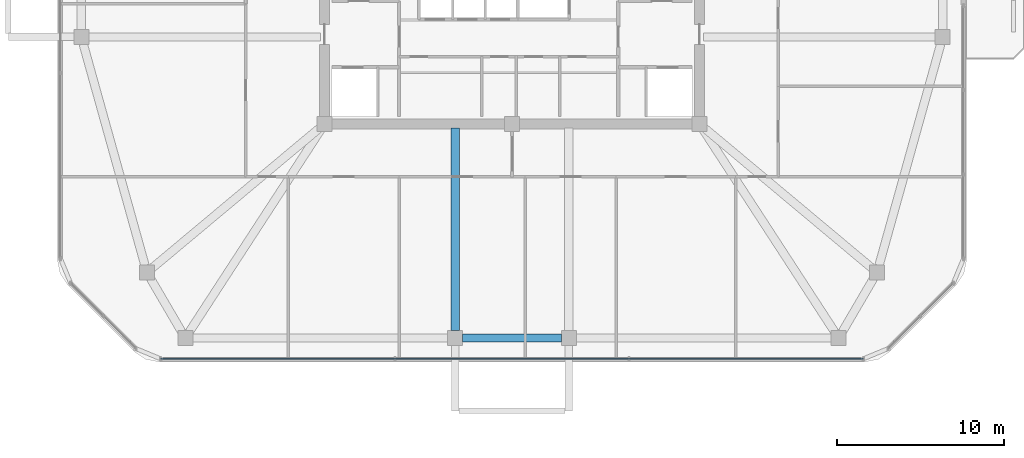
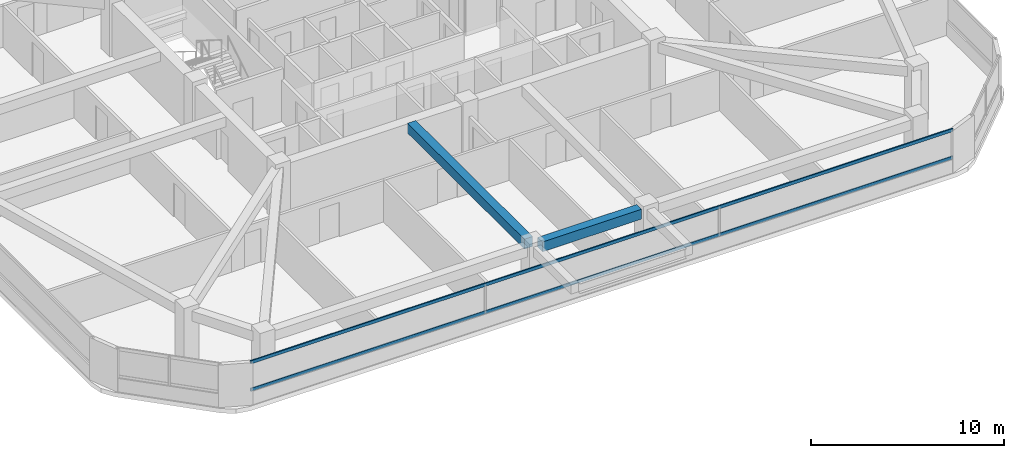
# One storey, part 3 of 14: 2 beams, 2 members, 1 element without a shape of its own.
"""IFC4 building model written with IfcOpenShell, lengths in metres."""

from ifc_helpers import new_model, si_unit, derived_unit, direction, frame, origin, origin_2d, place, context, subcontext, project, spatial, rectangle, extrude, material, material_profile, profile_set, type_object, element, aggregate, save


model = new_model("IFC4")

# Units and contexts
model_context = context("Model", 3, precision=1e-05, world=origin(), true_north=direction((0.0, 1.0)))
body_context = subcontext(model_context, "Body", "Model", "MODEL_VIEW")
ifc_project = project(units=[si_unit("LENGTHUNIT", "METRE"), si_unit("AREAUNIT", "SQUARE_METRE"), si_unit("VOLUMEUNIT", "CUBIC_METRE"), si_unit("PLANEANGLEUNIT", "RADIAN"), si_unit("MASSUNIT", "GRAM", prefix="KILO"), derived_unit("THERMALTRANSMITTANCEUNIT", [(si_unit("POWERUNIT", "WATT"), 1), (si_unit("LENGTHUNIT", "METRE"), -2), (si_unit("THERMODYNAMICTEMPERATUREUNIT", "KELVIN"), -1)])], contexts=[model_context])

# Site, building, storey
site_placement = place(None, origin())
site = spatial("IfcSite", under=ifc_project, at=site_placement, CompositionType="ELEMENT")
building_placement = place(site_placement, origin())
building = spatial("IfcBuilding", under=site, at=building_placement, Name="Koralith Skygarden Medical Center", CompositionType="ELEMENT")
storey_placement = place(building_placement, frame((0.0, 0.0, 225.179931640625)))
storey = spatial("IfcBuildingStorey", under=building, at=storey_placement, Name="L58", CompositionType="ELEMENT", Elevation=225.179931640625)

# Curtain wall, members
ifc_material_1 = material(Name="Clear Laminated Glass", Category="glass")
curtain_wall_type = type_object("IfcCurtainWallType", Name="CW-5 Zone 4 Flare Biophilic Curtain Wall", PredefinedType="NOTDEFINED", material=ifc_material_1)
curtain_wall_placement = place(storey_placement, origin())
curtain_wall = element("IfcCurtainWall", 1, at=curtain_wall_placement, inside=storey, type_object=curtain_wall_type, Name="Curtain Wall CW-L58-S", PredefinedType="NOTDEFINED")
ifc_material_2 = material(Name="Aluminium 6063-T6", Category="aluminium")
ifc_material_profile_1 = material_profile(ifc_material_2, rectangle(XDim=0.074951171875, YDim=0.197998046875, at=origin_2d()), Name="TRN75X198")
ifc_profile_set_1 = profile_set([ifc_material_profile_1], Name="Aluminium 6063-T6")
member_type = type_object("IfcMemberType", Name="CW-5 Thermal Transom 75x198", PredefinedType="USERDEFINED", material=ifc_profile_set_1)
member_1_placement = place(storey_placement, frame((16.012939453125, 3.280029296875, 0.900146484375), z_axis=(1.0, 0.0, 0.0), x_axis=(0.0, 1.0, 0.0)))
member_1 = element("IfcMember", 2, at=member_1_placement, type_object=member_type, Name="CW-L58-S Transom 1", ObjectType="TRANSOM", PredefinedType="USERDEFINED", context=body_context, shape_type="SweptSolid", body=[
    extrude(rectangle(XDim=0.074951171875, YDim=0.197998046875, at=origin_2d()), origin(), (0.0, 0.0, 1.0), 41.97412109375),
])
member_2_placement = place(storey_placement, frame((16.012939453125, 3.280029296875, 2.64013671875), z_axis=(1.0, 0.0, 0.0), x_axis=(0.0, 1.0, 0.0)))
member_2 = element("IfcMember", 3, at=member_2_placement, type_object=member_type, Name="CW-L58-S Transom 2", ObjectType="TRANSOM", PredefinedType="USERDEFINED", context=body_context, shape_type="SweptSolid", body=[
    extrude(rectangle(XDim=0.074951171875, YDim=0.197998046875, at=origin_2d()), origin(), (0.0, 0.0, 1.0), 41.97412109375),
])
aggregate(curtain_wall, [member_1, member_2])

# Beams
ifc_material_3 = material(Name="Concrete C45/55", Category="concrete")
ifc_material_profile_2 = material_profile(ifc_material_3, rectangle(XDim=0.5, YDim=0.6201171875, at=origin_2d()), Name="RCB500X620")
ifc_profile_set_2 = profile_set([ifc_material_profile_2], Name="Concrete C45/55")
beam_type_1 = type_object("IfcBeamType", Name="Upper Radial Collector Beam RCB500X620", PredefinedType="BEAM", material=ifc_profile_set_2)
beam_1_placement = place(storey_placement, frame((33.60009765625, 17.050048828125, 3.010009765625), z_axis=(0.0, -1.0, 0.0), x_axis=(1.0, 0.0, 0.0)))
element("IfcBeam", 4, at=beam_1_placement, inside=storey, type_object=beam_type_1, Name="L58 Radial Collector Beam RB-04", PredefinedType="BEAM", context=body_context, shape_type="SweptSolid", body=[
    extrude(rectangle(XDim=0.5, YDim=0.6201171875, at=origin_2d()), origin(), (0.0, 0.0, 1.0), 12.090087890625),
])
ifc_material_profile_3 = material_profile(ifc_material_3, rectangle(XDim=0.5, YDim=0.6201171875, at=origin_2d()), Name="RCB500X620")
ifc_profile_set_3 = profile_set([ifc_material_profile_3], Name="Concrete C45/55")
beam_type_2 = type_object("IfcBeamType", Name="Zone 4-5 Spandrel Beam RCB500X620", PredefinedType="SPANDREL", material=ifc_profile_set_3)
beam_2_placement = place(storey_placement, frame((34.0400390625, 4.52001953125, 3.010009765625), z_axis=(1.0, 0.0, 0.0), x_axis=(0.0, 1.0, 0.0)))
element("IfcBeam", 5, at=beam_2_placement, inside=storey, type_object=beam_type_2, Name="L58 Perimeter Spandrel Beam SP-04", PredefinedType="SPANDREL", context=body_context, shape_type="SweptSolid", body=[
    extrude(rectangle(XDim=0.5, YDim=0.6201171875, at=origin_2d()), origin(), (0.0, 0.0, 1.0), 5.919921875),
])

save(model, "model.ifc")
